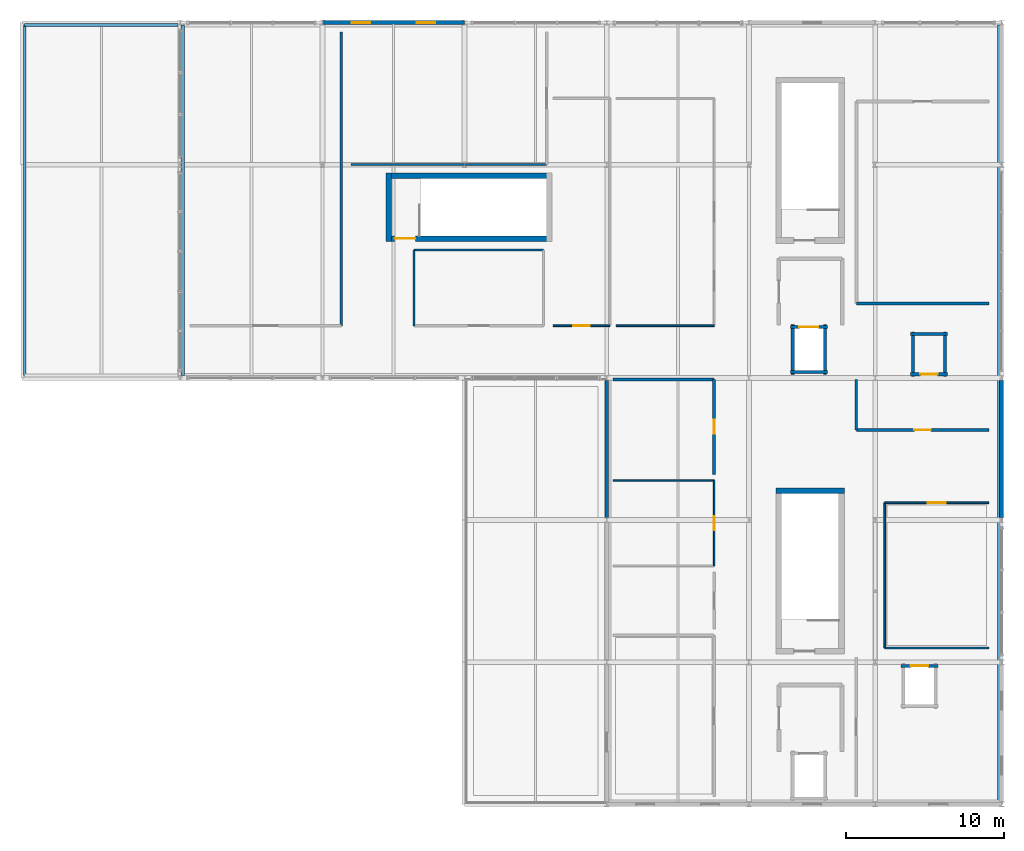
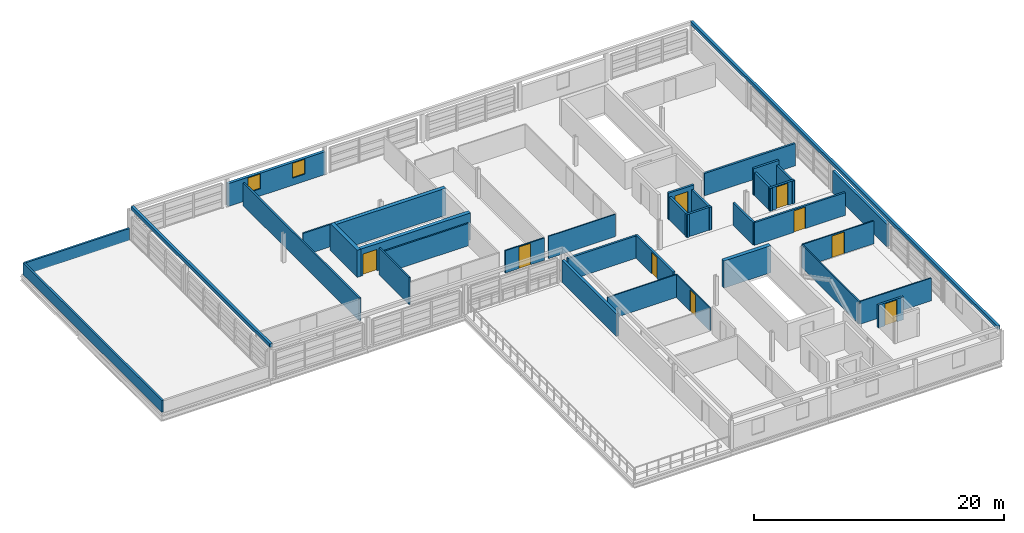
# One storey, part 25 of 27: 36 walls, 9 doors, 2 windows, 11 openings.
"""IFC4 building model written with IfcOpenShell, lengths in metres."""

from ifc_helpers import new_model, si_unit, direction, frame, frame_2d, origin, place, context, subcontext, project, spatial, rectangle, extrude, material, layer, layer_set, type_object, element, fill, save


model = new_model("IFC4")

# Units and contexts
model_context = context("Model", 3, precision=1e-05, world=origin(), true_north=direction((0.0, 1.0)))
body_context = subcontext(model_context, "Body", "Model", "MODEL_VIEW")
ifc_project = project(units=[si_unit("LENGTHUNIT", "METRE"), si_unit("AREAUNIT", "SQUARE_METRE"), si_unit("VOLUMEUNIT", "CUBIC_METRE"), si_unit("PLANEANGLEUNIT", "RADIAN"), si_unit("MASSUNIT", "GRAM", prefix="KILO")], contexts=[model_context])

# Site, building, storey
site_placement = place(None, origin())
site = spatial("IfcSite", under=ifc_project, at=site_placement, CompositionType="ELEMENT")
building_placement = place(site_placement, origin())
building = spatial("IfcBuilding", under=site, at=building_placement, Name="Chuanluo Vaults Station", CompositionType="ELEMENT")
storey_placement = place(building_placement, frame((0.0, 0.0, 20.800048828125)))
storey = spatial("IfcBuildingStorey", under=building, at=storey_placement, Name="L05", CompositionType="ELEMENT", Elevation=20.800048828125)

# Wall
ifc_material_1 = material(Name="Concrete C50", Category="concrete")
ifc_layer_1 = layer(ifc_material_1, 0.35009765625)
ifc_layer_set_1 = layer_set([ifc_layer_1], Name="Concrete C50")
wall_type_1 = type_object("IfcWallType", Name="WL-COR-350", PredefinedType="SHEAR", material=ifc_layer_set_1)
wall_1_placement = place(storey_placement, frame((178.03759765625, 96.347412109375, 0.0), z_axis=(0.0, 0.0, 1.0), x_axis=(-1.0, 0.0, 0.0)))
element("IfcWall", 1, at=wall_1_placement, inside=storey, type_object=wall_type_1, Name="Core K1 far shear wall", PredefinedType="SHEAR", context=body_context, shape_type="SweptSolid", body=[
    extrude(rectangle(XDim=4.320068359375, YDim=0.35009765625, at=frame_2d((2.16015625, 0.0))), origin(), (0.0, 0.0, 1.0), 2.64501953125),
])

# Wall, opening, door
wall_2_placement = place(storey_placement, frame((149.02490234375, 112.324951171875, 0.0), z_axis=(0.0, 0.0, 1.0), x_axis=(1.0, 0.0, 0.0)))
wall_2 = element("IfcWall", 2, at=wall_2_placement, inside=storey, type_object=wall_type_1, Name="Core K3 left shear wall", PredefinedType="SHEAR", context=body_context, shape_type="SweptSolid", body=[
    extrude(rectangle(XDim=10.49755859375, YDim=0.35009765625, at=frame_2d((5.248779296875, 0.0))), origin(), (0.0, 0.0, 1.0), 2.64501953125),
])
opening_1_placement = place(wall_2_placement, frame((0.550048828125, 0.0, 0.0)))
opening_1 = element("IfcOpeningElement", 3, at=opening_1_placement, cuts=wall_2, Name="Opening FD-05", PredefinedType="OPENING", context=body_context, shape_type="SweptSolid", body=[
    extrude(rectangle(XDim=1.300048828125, YDim=2.10009765625, at=frame_2d((0.64990234375, 1.050048828125))), frame((0.0, 0.18505, 0.0), z_axis=(0.0, -1.0, 0.0), x_axis=(1.0, 0.0, 0.0)), (0.0, 0.0, 1.0), 0.3701),
])
ifc_material_2 = material(Name="Fire-rated steel leaf", Category="steel")
door_type_1 = type_object("IfcDoorType", Name="DR-FIR-1300x2100", OperationType="NOTDEFINED", PredefinedType="DOOR", material=ifc_material_2)
door_1_placement = place(opening_1_placement, origin())
door_1 = element("IfcDoor", 4, at=door_1_placement, inside=storey, type_object=door_type_1, Name="D-078 Stair ST-03 fire door", OperationType="SINGLE_SWING_LEFT", OverallHeight=2.10009765625, OverallWidth=1.300048828125, PredefinedType="DOOR", context=body_context, shape_type="SweptSolid", body=[
    extrude(rectangle(XDim=1.300048828125, YDim=2.10009765625, at=frame_2d((0.64990234375, 1.050048828125))), frame((0.0, 0.02490234375, 0.0), z_axis=(0.0, -1.0, 0.0), x_axis=(1.0, 0.0, 0.0)), (0.0, 0.0, 1.0), 0.050048828125),
])
fill(opening_1, door_1)

# Walls
wall_3_placement = place(storey_placement, frame((159.5224609375, 116.294921875, 0.0), z_axis=(0.0, 0.0, 1.0), x_axis=(-1.0, 0.0, 0.0)))
element("IfcWall", 5, at=wall_3_placement, inside=storey, type_object=wall_type_1, Name="Core K3 right shear wall", PredefinedType="SHEAR", context=body_context, shape_type="SweptSolid", body=[
    extrude(rectangle(XDim=10.49755859375, YDim=0.35009765625, at=frame_2d((5.248779296875, 0.0))), origin(), (0.0, 0.0, 1.0), 2.64501953125),
])
wall_4_placement = place(storey_placement, frame((149.199951171875, 116.469970703125, 0.0), z_axis=(0.0, 0.0, 1.0), x_axis=(0.0, -1.0, 0.0)))
element("IfcWall", 6, at=wall_4_placement, inside=storey, type_object=wall_type_1, Name="Core K3 near shear wall", PredefinedType="SHEAR", context=body_context, shape_type="SweptSolid", body=[
    extrude(rectangle(XDim=4.320068359375, YDim=0.35009765625, at=frame_2d((2.16015625, 0.0))), origin(), (0.0, 0.0, 1.0), 2.64501953125),
])
ifc_material_3 = material(Name="Concrete C40", Category="concrete")
ifc_layer_2 = layer(ifc_material_3, 0.2451171875)
ifc_layer_set_2 = layer_set([ifc_layer_2], Name="Concrete C40")
wall_type_2 = type_object("IfcWallType", Name="WL-EXT-245", PredefinedType="SOLIDWALL", material=ifc_layer_set_2)
for number, where, z_axis, x_axis, name in (
    (7, (188.0, 103.35009765625, 0.0), (0.0, 0.0, 1.0), (0.0, -1.0, 0.0), "L05 exterior punched wall 35"),
    (8, (163.0, 94.64990234375, 0.0), (0.0, 0.0, 1.0), (0.0, 1.0, 0.0), "L05 executive roof garden wall 3"),
):
    element("IfcWall", number, at=place(storey_placement, frame(where, z_axis=z_axis, x_axis=x_axis)), inside=storey, type_object=wall_type_2, Name=name, PredefinedType="SOLIDWALL", context=body_context, shape_type="SweptSolid", body=[
        extrude(rectangle(XDim=8.7001953125, YDim=0.2451171875, at=frame_2d((4.35009765625, 0.0))), origin(), (0.0, 0.0, 1.0), 2.179931640625),
    ])

# Wall, openings, windows
ifc_material_4 = material(Name="Concrete C40", Category="concrete")
ifc_layer_3 = layer(ifc_material_4, 0.260009765625)
ifc_layer_set_3 = layer_set([ifc_layer_3], Name="Concrete C40")
wall_type_3 = type_object("IfcWallType", Name="WL-EXT-260", PredefinedType="SOLIDWALL", material=ifc_layer_set_3)
wall_5_placement = place(storey_placement, frame((145.0048828125, 126.0, 0.0), z_axis=(0.0, 0.0, 1.0), x_axis=(1.0, 0.0, 0.0)))
wall_5 = element("IfcWall", 9, at=wall_5_placement, inside=storey, type_object=wall_type_3, Name="L05 exterior punched wall 29", PredefinedType="SOLIDWALL", context=body_context, shape_type="SweptSolid", body=[
    extrude(rectangle(XDim=8.990234375, YDim=0.260009765625, at=frame_2d((4.4951171875, 0.0))), origin(), (0.0, 0.0, 1.0), 2.22998046875),
])
opening_2_placement = place(wall_5_placement, frame((1.860107421875, 0.0, 0.699951171875)))
opening_2 = element("IfcOpeningElement", 10, at=opening_2_placement, cuts=wall_5, Name="Opening W-49", PredefinedType="OPENING", context=body_context, shape_type="SweptSolid", body=[
    extrude(rectangle(XDim=1.14990234375, YDim=1.449951171875, at=frame_2d((0.574951171875, 0.72509765625))), frame((0.0, 0.13988, 0.0), z_axis=(0.0, -1.0, 0.0), x_axis=(1.0, 0.0, 0.0)), (0.0, 0.0, 1.0), 0.28001),
])
opening_3_placement = place(wall_5_placement, frame((5.97998046875, 0.0, 0.699951171875)))
opening_3 = element("IfcOpeningElement", 11, at=opening_3_placement, cuts=wall_5, Name="Opening W-49", PredefinedType="OPENING", context=body_context, shape_type="SweptSolid", body=[
    extrude(rectangle(XDim=1.14990234375, YDim=1.449951171875, at=frame_2d((0.574951171875, 0.72509765625))), frame((0.0, 0.13988, 0.0), z_axis=(0.0, -1.0, 0.0), x_axis=(1.0, 0.0, 0.0)), (0.0, 0.0, 1.0), 0.28001),
])
ifc_material_5 = material(Name="Double-silver Low-E laminated glass", Category="glass")
window_type = type_object("IfcWindowType", Name="WN-OPS-1150x1450", PartitioningType="SINGLE_PANEL", PredefinedType="WINDOW", material=ifc_material_5)
window_1_placement = place(opening_2_placement, origin())
window_1 = element("IfcWindow", 12, at=window_1_placement, inside=storey, type_object=window_type, Name="W-105 L05 facade window", OverallHeight=1.449951171875, OverallWidth=1.14990234375, PartitioningType="SINGLE_PANEL", PredefinedType="WINDOW", context=body_context, shape_type="SweptSolid", body=[
    extrude(rectangle(XDim=1.14990234375, YDim=1.449951171875, at=frame_2d((0.574951171875, 0.72509765625))), frame((0.0, 0.030029296875, 0.0), z_axis=(0.0, -1.0, 0.0), x_axis=(1.0, 0.0, 0.0)), (0.0, 0.0, 1.0), 0.06005859375),
])
fill(opening_2, window_1)
window_2_placement = place(opening_3_placement, origin())
window_2 = element("IfcWindow", 13, at=window_2_placement, inside=storey, type_object=window_type, Name="W-106 L05 facade window", OverallHeight=1.449951171875, OverallWidth=1.14990234375, PartitioningType="SINGLE_PANEL", PredefinedType="WINDOW", context=body_context, shape_type="SweptSolid", body=[
    extrude(rectangle(XDim=1.14990234375, YDim=1.449951171875, at=frame_2d((0.574951171875, 0.72509765625))), frame((0.0, 0.030029296875, 0.0), z_axis=(0.0, -1.0, 0.0), x_axis=(1.0, 0.0, 0.0)), (0.0, 0.0, 1.0), 0.06005859375),
])
fill(opening_3, window_2)

# Walls
ifc_material_6 = material(Name="Concrete C40", Category="concrete")
ifc_layer_4 = layer(ifc_material_6, 0.179931640625)
ifc_layer_set_4 = layer_set([ifc_layer_4], Name="Concrete C40")
wall_type_4 = type_object("IfcWallType", Name="WL-PAR-180", PredefinedType="PARAPET", material=ifc_layer_set_4)
wall_6_placement = place(storey_placement, frame((126.14990234375, 103.64990234375, 0.0), z_axis=(0.0, 0.0, 1.0), x_axis=(0.0, 1.0, 0.0)))
element("IfcWall", 14, at=wall_6_placement, inside=storey, type_object=wall_type_4, Name="L05 roof parapet wall 17", PredefinedType="PARAPET", context=body_context, shape_type="SweptSolid", body=[
    extrude(rectangle(XDim=22.2001953125, YDim=0.179931640625, at=frame_2d((11.10009765625, 0.0))), origin(), (0.0, 0.0, 1.0), 1.14990234375),
])
wall_7_placement = place(storey_placement, frame((126.14990234375, 125.85009765625, 0.0), z_axis=(0.0, 0.0, 1.0), x_axis=(1.0, 0.0, 0.0)))
element("IfcWall", 15, at=wall_7_placement, inside=storey, type_object=wall_type_4, Name="L05 roof parapet wall 18", PredefinedType="PARAPET", context=body_context, shape_type="SweptSolid", body=[
    extrude(rectangle(XDim=9.7001953125, YDim=0.179931640625, at=frame_2d((4.85009765625, 0.0))), origin(), (0.0, 0.0, 1.0), 1.14990234375),
])
ifc_material_7 = material(Name="Concrete C40", Category="concrete")
ifc_layer_5 = layer(ifc_material_7, 0.239990234375)
ifc_layer_set_5 = layer_set([ifc_layer_5], Name="Concrete C40")
wall_type_5 = type_object("IfcWallType", Name="WL-PAR-240", PredefinedType="PARAPET", material=ifc_layer_set_5)
wall_8_placement = place(storey_placement, frame((187.85009765625, 76.64990234375, 2.849853515625), z_axis=(0.0, 0.0, 1.0), x_axis=(0.0, 1.0, 0.0)))
element("IfcWall", 16, at=wall_8_placement, inside=storey, type_object=wall_type_5, Name="L05 roof parapet wall 20", PredefinedType="PARAPET", context=body_context, shape_type="SweptSolid", body=[
    extrude(rectangle(XDim=49.2001953125, YDim=0.239990234375, at=frame_2d((24.60009765625, 0.0))), origin(), (0.0, 0.0, 1.0), 0.340087890625),
])
wall_9_placement = place(storey_placement, frame((136.14990234375, 125.85009765625, 2.849853515625), z_axis=(0.0, 0.0, 1.0), x_axis=(0.0, -1.0, 0.0)))
element("IfcWall", 17, at=wall_9_placement, inside=storey, type_object=wall_type_5, Name="L05 roof parapet wall 22", PredefinedType="PARAPET", context=body_context, shape_type="SweptSolid", body=[
    extrude(rectangle(XDim=22.2001953125, YDim=0.239990234375, at=frame_2d((11.10009765625, 0.0))), origin(), (0.0, 0.0, 1.0), 0.340087890625),
])
ifc_material_8 = material(Name="Masonry blockwork M10", Category="masonry")
ifc_layer_6 = layer(ifc_material_8, 0.10009765625)
ifc_layer_set_6 = layer_set([ifc_layer_6], Name="Masonry blockwork M10")
wall_type_6 = type_object("IfcWallType", Name="WL-PRT-100", PredefinedType="PARTITIONING", material=ifc_layer_set_6)
wall_10_placement = place(storey_placement, frame((169.800048828125, 106.800048828125, 0.0), z_axis=(0.0, 0.0, 1.0), x_axis=(-1.0, 0.0, 0.0)))
element("IfcWall", 18, at=wall_10_placement, inside=storey, type_object=wall_type_6, Name="L05-03 Executive Boardroom S partition", PredefinedType="PARTITIONING", context=body_context, shape_type="SweptSolid", body=[
    extrude(rectangle(XDim=6.199951171875, YDim=0.10009765625, at=frame_2d((3.10009765625, 0.0))), origin(), (0.0, 0.0, 1.0), 2.179931640625),
])
wall_11_placement = place(storey_placement, frame((163.39990234375, 97.0, 0.0), z_axis=(0.0, 0.0, 1.0), x_axis=(1.0, 0.0, 0.0)))
element("IfcWall", 19, at=wall_11_placement, inside=storey, type_object=wall_type_6, Name="L05-09 Level 5 Male Toilet N partition", PredefinedType="PARTITIONING", context=body_context, shape_type="SweptSolid", body=[
    extrude(rectangle(XDim=6.400146484375, YDim=0.10009765625, at=frame_2d((3.2001953125, 0.0))), origin(), (0.0, 0.0, 1.0), 2.22998046875),
])

# Wall, opening, door
wall_12_placement = place(storey_placement, frame((169.800048828125, 97.0, 0.0), z_axis=(0.0, 0.0, 1.0), x_axis=(0.0, -1.0, 0.0)))
wall_12 = element("IfcWall", 20, at=wall_12_placement, inside=storey, type_object=wall_type_6, Name="L05-09 Level 5 Male Toilet E partition", PredefinedType="PARTITIONING", context=body_context, shape_type="SweptSolid", body=[
    extrude(rectangle(XDim=5.39990234375, YDim=0.10009765625, at=frame_2d((2.699951171875, 0.0))), origin(), (0.0, 0.0, 1.0), 2.22998046875),
])
opening_4_placement = place(wall_12_placement, frame((2.25, 0.0, 0.0)))
opening_4 = element("IfcOpeningElement", 21, at=opening_4_placement, cuts=wall_12, Name="Opening D-WC1", PredefinedType="OPENING", context=body_context, shape_type="SweptSolid", body=[
    extrude(rectangle(XDim=0.89990234375, YDim=2.10009765625, at=frame_2d((0.449951171875, 1.050048828125))), frame((0.0, 0.06005, 0.0), z_axis=(0.0, -1.0, 0.0), x_axis=(1.0, 0.0, 0.0)), (0.0, 0.0, 1.0), 0.1201),
])
ifc_material_9 = material(Name="Anodised aluminium 6063-T6", Category="aluminium")
door_type_2 = type_object("IfcDoorType", Name="DR-WC-0900x2100", OperationType="NOTDEFINED", PredefinedType="DOOR", material=ifc_material_9)
door_2_placement = place(opening_4_placement, origin())
door_2 = element("IfcDoor", 22, at=door_2_placement, inside=storey, type_object=door_type_2, Name="D-263 Level 5 Male Toilet door", OperationType="SINGLE_SWING_RIGHT", OverallHeight=2.10009765625, OverallWidth=0.89990234375, PredefinedType="DOOR", context=body_context, shape_type="SweptSolid", body=[
    extrude(rectangle(XDim=0.89990234375, YDim=2.10009765625, at=frame_2d((0.449951171875, 1.050048828125))), frame((0.0, 0.02490234375, 0.0), z_axis=(0.0, -1.0, 0.0), x_axis=(1.0, 0.0, 0.0)), (0.0, 0.0, 1.0), 0.050048828125),
])
fill(opening_4, door_2)

# Wall
ifc_material_10 = material(Name="Masonry blockwork M10", Category="masonry")
ifc_layer_7 = layer(ifc_material_10, 0.110107421875)
ifc_layer_set_7 = layer_set([ifc_layer_7], Name="Masonry blockwork M10")
wall_type_7 = type_object("IfcWallType", Name="WL-PRT-110", PredefinedType="PARTITIONING", material=ifc_layer_set_7)
wall_13_placement = place(storey_placement, frame((187.199951171875, 86.39990234375, 0.0), z_axis=(0.0, 0.0, 1.0), x_axis=(-1.0, 0.0, 0.0)))
element("IfcWall", 23, at=wall_13_placement, inside=storey, type_object=wall_type_7, Name="L05-08 Digital Twin Simulation Lab S partition", PredefinedType="PARTITIONING", context=body_context, shape_type="SweptSolid", body=[
    extrude(rectangle(XDim=6.599853515625, YDim=0.110107421875, at=frame_2d((3.2998046875, 0.0))), origin(), (0.0, 0.0, 1.0), 2.22998046875),
])

# Wall, opening, door
wall_14_placement = place(storey_placement, frame((180.60009765625, 95.60009765625, 0.0), z_axis=(0.0, 0.0, 1.0), x_axis=(1.0, 0.0, 0.0)))
wall_14 = element("IfcWall", 24, at=wall_14_placement, inside=storey, type_object=wall_type_7, Name="L05-08 Digital Twin Simulation Lab N partition", PredefinedType="PARTITIONING", context=body_context, shape_type="SweptSolid", body=[
    extrude(rectangle(XDim=6.599853515625, YDim=0.110107421875, at=frame_2d((3.2998046875, 0.0))), origin(), (0.0, 0.0, 1.0), 2.22998046875),
])
opening_5_placement = place(wall_14_placement, frame((2.72509765625, 0.0, 0.0)))
opening_5 = element("IfcOpeningElement", 25, at=opening_5_placement, cuts=wall_14, Name="Opening D-I06", PredefinedType="OPENING", context=body_context, shape_type="SweptSolid", body=[
    extrude(rectangle(XDim=1.14990234375, YDim=2.10009765625, at=frame_2d((0.574951171875, 1.050048828125))), frame((0.0, 0.06518, 0.0), z_axis=(0.0, -1.0, 0.0), x_axis=(1.0, 0.0, 0.0)), (0.0, 0.0, 1.0), 0.13011),
])
ifc_material_11 = material(Name="Anodised aluminium 6063-T6", Category="aluminium")
door_type_3 = type_object("IfcDoorType", Name="DR-INT-1150x2100", OperationType="NOTDEFINED", PredefinedType="DOOR", material=ifc_material_11)
door_3_placement = place(opening_5_placement, origin())
door_3 = element("IfcDoor", 26, at=door_3_placement, inside=storey, type_object=door_type_3, Name="D-262 Digital Twin Simulation Lab door", OperationType="SINGLE_SWING_LEFT", OverallHeight=2.10009765625, OverallWidth=1.14990234375, PredefinedType="DOOR", context=body_context, shape_type="SweptSolid", body=[
    extrude(rectangle(XDim=1.14990234375, YDim=2.10009765625, at=frame_2d((0.574951171875, 1.050048828125))), frame((0.0, 0.02490234375, 0.0), z_axis=(0.0, -1.0, 0.0), x_axis=(1.0, 0.0, 0.0)), (0.0, 0.0, 1.0), 0.050048828125),
])
fill(opening_5, door_3)

# Wall
wall_15_placement = place(storey_placement, frame((180.60009765625, 86.39990234375, 0.0), z_axis=(0.0, 0.0, 1.0), x_axis=(0.0, 1.0, 0.0)))
element("IfcWall", 27, at=wall_15_placement, inside=storey, type_object=wall_type_7, Name="L05-08 Digital Twin Simulation Lab W partition", PredefinedType="PARTITIONING", context=body_context, shape_type="SweptSolid", body=[
    extrude(rectangle(XDim=9.2001953125, YDim=0.110107421875, at=frame_2d((4.60009765625, 0.0))), origin(), (0.0, 0.0, 1.0), 2.22998046875),
])

# Wall, opening, door
ifc_material_12 = material(Name="Masonry blockwork M10", Category="masonry")
ifc_layer_8 = layer(ifc_material_12, 0.1201171875)
ifc_layer_set_8 = layer_set([ifc_layer_8], Name="Masonry blockwork M10")
wall_type_8 = type_object("IfcWallType", Name="WL-PRT-120", PredefinedType="PARTITIONING", material=ifc_layer_set_8)
wall_16_placement = place(storey_placement, frame((163.199951171875, 106.800048828125, 0.0), z_axis=(0.0, 0.0, 1.0), x_axis=(-1.0, 0.0, 0.0)))
wall_16 = element("IfcWall", 28, at=wall_16_placement, inside=storey, type_object=wall_type_8, Name="L05-02B Executive Operations Planning Office S partition", PredefinedType="PARTITIONING", context=body_context, shape_type="SweptSolid", body=[
    extrude(rectangle(XDim=3.599853515625, YDim=0.1201171875, at=frame_2d((1.7998046875, 0.0))), origin(), (0.0, 0.0, 1.0), 2.179931640625),
])
opening_6_placement = place(wall_16_placement, frame((1.27490234375, 0.0, 0.0)))
opening_6 = element("IfcOpeningElement", 29, at=opening_6_placement, cuts=wall_16, Name="Opening D-I07", PredefinedType="OPENING", context=body_context, shape_type="SweptSolid", body=[
    extrude(rectangle(XDim=1.050048828125, YDim=2.10009765625, at=frame_2d((0.52490234375, 1.050048828125))), frame((0.0, 0.07006, 0.0), z_axis=(0.0, -1.0, 0.0), x_axis=(1.0, 0.0, 0.0)), (0.0, 0.0, 1.0), 0.14012),
])
ifc_material_13 = material(Name="Anodised aluminium 6063-T6", Category="aluminium")
door_type_4 = type_object("IfcDoorType", Name="DR-INT-1050x2100", OperationType="NOTDEFINED", PredefinedType="DOOR", material=ifc_material_13)
door_4_placement = place(opening_6_placement, origin())
door_4 = element("IfcDoor", 30, at=door_4_placement, inside=storey, type_object=door_type_4, Name="D-256 Executive Operations Planning Office door", OperationType="SINGLE_SWING_LEFT", OverallHeight=2.10009765625, OverallWidth=1.050048828125, PredefinedType="DOOR", context=body_context, shape_type="SweptSolid", body=[
    extrude(rectangle(XDim=1.050048828125, YDim=2.10009765625, at=frame_2d((0.52490234375, 1.050048828125))), frame((0.0, 0.02490234375, 0.0), z_axis=(0.0, -1.0, 0.0), x_axis=(1.0, 0.0, 0.0)), (0.0, 0.0, 1.0), 0.050048828125),
])
fill(opening_6, door_4)

# Walls
ifc_material_14 = material(Name="Masonry blockwork M10", Category="masonry")
ifc_layer_9 = layer(ifc_material_14, 0.1298828125)
ifc_layer_set_9 = layer_set([ifc_layer_9], Name="Masonry blockwork M10")
wall_type_9 = type_object("IfcWallType", Name="WL-PRT-130", PredefinedType="PARTITIONING", material=ifc_layer_set_9)
wall_17_placement = place(storey_placement, frame((159.199951171875, 117.0, 0.0), z_axis=(0.0, 0.0, 1.0), x_axis=(-1.0, 0.0, 0.0)))
element("IfcWall", 31, at=wall_17_placement, inside=storey, type_object=wall_type_9, Name="L05-02 Station Director and Executive Suite S partition", PredefinedType="PARTITIONING", context=body_context, shape_type="SweptSolid", body=[
    extrude(rectangle(XDim=12.39990234375, YDim=0.1298828125, at=frame_2d((6.199951171875, 0.0))), origin(), (0.0, 0.0, 1.0), 2.179931640625),
])
ifc_material_15 = material(Name="Autoclaved aerated concrete blockwork MU10", Category="masonry")
ifc_layer_10 = layer(ifc_material_15, 0.139892578125)
ifc_layer_set_10 = layer_set([ifc_layer_10], Name="Autoclaved aerated concrete blockwork MU10")
wall_type_10 = type_object("IfcWallType", Name="WL-PRT-140", PredefinedType="PARTITIONING", material=ifc_layer_set_10)
wall_18_placement = place(storey_placement, frame((150.800048828125, 111.60009765625, 0.0), z_axis=(0.0, 0.0, 1.0), x_axis=(1.0, 0.0, 0.0)))
element("IfcWall", 32, at=wall_18_placement, inside=storey, type_object=wall_type_10, Name="L05-01C Training Seminar Classroom N partition", PredefinedType="PARTITIONING", context=body_context, shape_type="SweptSolid", body=[
    extrude(rectangle(XDim=8.199951171875, YDim=0.139892578125, at=frame_2d((4.10009765625, 0.0))), origin(), (0.0, 0.0, 1.0), 2.179931640625),
])
wall_19_placement = place(storey_placement, frame((150.800048828125, 106.800048828125, 0.0), z_axis=(0.0, 0.0, 1.0), x_axis=(0.0, 1.0, 0.0)))
element("IfcWall", 33, at=wall_19_placement, inside=storey, type_object=wall_type_10, Name="L05-01C Training Seminar Classroom W partition", PredefinedType="PARTITIONING", context=body_context, shape_type="SweptSolid", body=[
    extrude(rectangle(XDim=4.800048828125, YDim=0.139892578125, at=frame_2d((2.39990234375, 0.0))), origin(), (0.0, 0.0, 1.0), 2.619873046875),
])
ifc_material_16 = material(Name="Autoclaved aerated concrete blockwork MU10", Category="masonry")
ifc_layer_11 = layer(ifc_material_16, 0.159912109375)
ifc_layer_set_11 = layer_set([ifc_layer_11], Name="Autoclaved aerated concrete blockwork MU10")
wall_type_11 = type_object("IfcWallType", Name="WL-PRT-160", PredefinedType="PARTITIONING", material=ifc_layer_set_11)
wall_20_placement = place(storey_placement, frame((146.199951171875, 125.39990234375, 0.0), z_axis=(0.0, 0.0, 1.0), x_axis=(0.0, -1.0, 0.0)))
element("IfcWall", 34, at=wall_20_placement, inside=storey, type_object=wall_type_11, Name="L05-01 Railway Regional Training Lecture Hall E partition", PredefinedType="PARTITIONING", context=body_context, shape_type="SweptSolid", body=[
    extrude(rectangle(XDim=18.599853515625, YDim=0.159912109375, at=frame_2d((9.2998046875, 0.0))), origin(), (0.0, 0.0, 1.0), 2.22998046875),
])

# Wall, opening, door
ifc_material_17 = material(Name="Autoclaved aerated concrete blockwork MU10", Category="masonry")
ifc_layer_12 = layer(ifc_material_17, 0.175048828125)
ifc_layer_set_12 = layer_set([ifc_layer_12], Name="Autoclaved aerated concrete blockwork MU10")
wall_type_12 = type_object("IfcWallType", Name="WL-PRT-175", PredefinedType="PARTITIONING", material=ifc_layer_set_12)
wall_21_placement = place(storey_placement, frame((187.199951171875, 100.199951171875, 0.0), z_axis=(0.0, 0.0, 1.0), x_axis=(-1.0, 0.0, 0.0)))
wall_21 = element("IfcWall", 35, at=wall_21_placement, inside=storey, type_object=wall_type_12, Name="L05-03C Executive Briefing Salon S partition", PredefinedType="PARTITIONING", context=body_context, shape_type="SweptSolid", body=[
    extrude(rectangle(XDim=8.39990234375, YDim=0.175048828125, at=frame_2d((4.199951171875, 0.0))), origin(), (0.0, 0.0, 1.0), 2.22998046875),
])
opening_7_placement = place(wall_21_placement, frame((3.675048828125, 0.0, 0.0)))
opening_7 = element("IfcOpeningElement", 36, at=opening_7_placement, cuts=wall_21, Name="Opening D-I07", PredefinedType="OPENING", context=body_context, shape_type="SweptSolid", body=[
    extrude(rectangle(XDim=1.050048828125, YDim=2.10009765625, at=frame_2d((0.52490234375, 1.050048828125))), frame((0.0, 0.0974, 0.0), z_axis=(0.0, -1.0, 0.0), x_axis=(1.0, 0.0, 0.0)), (0.0, 0.0, 1.0), 0.19505),
])
door_5_placement = place(opening_7_placement, origin())
door_5 = element("IfcDoor", 37, at=door_5_placement, inside=storey, type_object=door_type_4, Name="D-260 Executive Briefing Salon door", OperationType="SINGLE_SWING_LEFT", OverallHeight=2.10009765625, OverallWidth=1.050048828125, PredefinedType="DOOR", context=body_context, shape_type="SweptSolid", body=[
    extrude(rectangle(XDim=1.050048828125, YDim=2.10009765625, at=frame_2d((0.52490234375, 1.050048828125))), frame((0.0, 0.02490234375, 0.0), z_axis=(0.0, -1.0, 0.0), x_axis=(1.0, 0.0, 0.0)), (0.0, 0.0, 1.0), 0.050048828125),
])
fill(opening_7, door_5)

# Walls
wall_22_placement = place(storey_placement, frame((178.800048828125, 100.199951171875, 0.0), z_axis=(0.0, 0.0, 1.0), x_axis=(0.0, 1.0, 0.0)))
element("IfcWall", 38, at=wall_22_placement, inside=storey, type_object=wall_type_12, Name="L05-03C Executive Briefing Salon W partition", PredefinedType="PARTITIONING", context=body_context, shape_type="SweptSolid", body=[
    extrude(rectangle(XDim=3.199951171875, YDim=0.175048828125, at=frame_2d((1.60009765625, 0.0))), origin(), (0.0, 0.0, 1.0), 2.22998046875),
])
ifc_material_18 = material(Name="Autoclaved aerated concrete blockwork MU10", Category="masonry")
ifc_layer_13 = layer(ifc_material_18, 0.18994140625)
ifc_layer_set_13 = layer_set([ifc_layer_13], Name="Autoclaved aerated concrete blockwork MU10")
wall_type_13 = type_object("IfcWallType", Name="WL-PRT-190", PredefinedType="PARTITIONING", material=ifc_layer_set_13)
wall_23_placement = place(storey_placement, frame((187.199951171875, 108.199951171875, 0.0), z_axis=(0.0, 0.0, 1.0), x_axis=(-1.0, 0.0, 0.0)))
element("IfcWall", 39, at=wall_23_placement, inside=storey, type_object=wall_type_13, Name="L05-03B East Archives and Technical Library S partition", PredefinedType="PARTITIONING", context=body_context, shape_type="SweptSolid", body=[
    extrude(rectangle(XDim=8.39990234375, YDim=0.18994140625, at=frame_2d((4.199951171875, 0.0))), origin(), (0.0, 0.0, 1.0), 2.179931640625),
])
wall_24_placement = place(storey_placement, frame((163.39990234375, 103.39990234375, 0.0), z_axis=(0.0, 0.0, 1.0), x_axis=(1.0, 0.0, 0.0)))
element("IfcWall", 40, at=wall_24_placement, inside=storey, type_object=wall_type_13, Name="L05-10 Level 5 Female Toilet N partition", PredefinedType="PARTITIONING", context=body_context, shape_type="SweptSolid", body=[
    extrude(rectangle(XDim=6.400146484375, YDim=0.18994140625, at=frame_2d((3.2001953125, 0.0))), origin(), (0.0, 0.0, 1.0), 2.179931640625),
])

# Wall, opening, door
wall_25_placement = place(storey_placement, frame((169.800048828125, 103.39990234375, 0.0), z_axis=(0.0, 0.0, 1.0), x_axis=(0.0, -1.0, 0.0)))
wall_25 = element("IfcWall", 41, at=wall_25_placement, inside=storey, type_object=wall_type_13, Name="L05-10 Level 5 Female Toilet E partition", PredefinedType="PARTITIONING", context=body_context, shape_type="SweptSolid", body=[
    extrude(rectangle(XDim=6.0, YDim=0.18994140625, at=frame_2d((3.0, 0.0))), origin(), (0.0, 0.0, 1.0), 2.22998046875),
])
opening_8_placement = place(wall_25_placement, frame((2.550048828125, 0.0, 0.0)))
opening_8 = element("IfcOpeningElement", 42, at=opening_8_placement, cuts=wall_25, Name="Opening D-WC1", PredefinedType="OPENING", context=body_context, shape_type="SweptSolid", body=[
    extrude(rectangle(XDim=0.89990234375, YDim=2.10009765625, at=frame_2d((0.449951171875, 1.050048828125))), frame((0.0, 0.10497, 0.0), z_axis=(0.0, -1.0, 0.0), x_axis=(1.0, 0.0, 0.0)), (0.0, 0.0, 1.0), 0.20994),
])
door_6_placement = place(opening_8_placement, origin())
door_6 = element("IfcDoor", 43, at=door_6_placement, inside=storey, type_object=door_type_2, Name="D-264 Level 5 Female Toilet door", OperationType="SINGLE_SWING_LEFT", OverallHeight=2.10009765625, OverallWidth=0.89990234375, PredefinedType="DOOR", context=body_context, shape_type="SweptSolid", body=[
    extrude(rectangle(XDim=0.89990234375, YDim=2.10009765625, at=frame_2d((0.449951171875, 1.050048828125))), frame((0.0, 0.02490234375, 0.0), z_axis=(0.0, -1.0, 0.0), x_axis=(1.0, 0.0, 0.0)), (0.0, 0.0, 1.0), 0.050048828125),
])
fill(opening_8, door_6)

# Wall
ifc_material_19 = material(Name="Concrete C40", Category="concrete")
ifc_layer_14 = layer(ifc_material_19, 0.199951171875)
ifc_layer_set_14 = layer_set([ifc_layer_14], Name="Concrete C40")
wall_type_14 = type_object("IfcWallType", Name="WL-SHF-200", PredefinedType="SOLIDWALL", material=ifc_layer_set_14)
wall_26_placement = place(storey_placement, frame((174.6298828125, 103.8798828125, 0.0), z_axis=(0.0, 0.0, 1.0), x_axis=(1.0, 0.0, 0.0)))
element("IfcWall", 44, at=wall_26_placement, inside=storey, type_object=wall_type_14, Name="Lift FFL-02 shaft wall L05 -Y", PredefinedType="SOLIDWALL", context=body_context, shape_type="SweptSolid", body=[
    extrude(rectangle(XDim=2.340087890625, YDim=0.199951171875, at=frame_2d((1.169921875, 0.0))), origin(), (0.0, 0.0, 1.0), 2.22998046875),
])

# Wall, opening, door
wall_27_placement = place(storey_placement, frame((176.969970703125, 106.719970703125, 0.0), z_axis=(0.0, 0.0, 1.0), x_axis=(-1.0, 0.0, 0.0)))
wall_27 = element("IfcWall", 45, at=wall_27_placement, inside=storey, type_object=wall_type_14, Name="Lift FFL-02 shaft wall L05 +Y", PredefinedType="SOLIDWALL", context=body_context, shape_type="SweptSolid", body=[
    extrude(rectangle(XDim=2.340087890625, YDim=0.199951171875, at=frame_2d((1.169921875, 0.0))), origin(), (0.0, 0.0, 1.0), 2.619873046875),
])
opening_9_placement = place(wall_27_placement, frame((0.570068359375, 0.0, 0.0)))
opening_9 = element("IfcOpeningElement", 46, at=opening_9_placement, cuts=wall_27, Name="Opening LD-02", PredefinedType="OPENING", context=body_context, shape_type="SweptSolid", body=[
    extrude(rectangle(XDim=1.199951171875, YDim=2.14990234375, at=frame_2d((0.60009765625, 1.074951171875))), frame((0.0, 0.1101, 0.0), z_axis=(0.0, -1.0, 0.0), x_axis=(1.0, 0.0, 0.0)), (0.0, 0.0, 1.0), 0.21995),
])
ifc_material_20 = material(Name="Brushed stainless steel 304", Category="steel")
door_type_5 = type_object("IfcDoorType", Name="DR-LFT-1200x2150", OperationType="SLIDING_TO_LEFT", PredefinedType="DOOR", material=ifc_material_20)
door_7_placement = place(opening_9_placement, origin())
door_7 = element("IfcDoor", 47, at=door_7_placement, inside=storey, type_object=door_type_5, Name="LD-FFL-02-07 Lift FFL-02 sliding landing door L05", OperationType="SLIDING_TO_LEFT", OverallHeight=2.14990234375, OverallWidth=1.199951171875, PredefinedType="DOOR", context=body_context, shape_type="SweptSolid", body=[
    extrude(rectangle(XDim=1.199951171875, YDim=2.14990234375, at=frame_2d((0.60009765625, 1.074951171875))), frame((0.0, 0.02490234375, 0.0), z_axis=(0.0, -1.0, 0.0), x_axis=(1.0, 0.0, 0.0)), (0.0, 0.0, 1.0), 0.050048828125),
])
fill(opening_9, door_7)

# Walls
for number, where, z_axis, x_axis, name in (
    (48, (174.780029296875, 106.8701171875, 0.0), (0.0, 0.0, 1.0), (0.0, -1.0, 0.0), "Lift FFL-02 shaft wall L05 -X"),
    (49, (176.820068359375, 103.72998046875, 0.0), (0.0, 0.0, 1.0), (0.0, 1.0, 0.0), "Lift FFL-02 shaft wall L05 +X"),
):
    element("IfcWall", number, at=place(storey_placement, frame(where, z_axis=z_axis, x_axis=x_axis)), inside=storey, type_object=wall_type_14, Name=name, PredefinedType="SOLIDWALL", context=body_context, shape_type="SweptSolid", body=[
        extrude(rectangle(XDim=3.14013671875, YDim=0.199951171875, at=frame_2d((1.570068359375, 0.0))), origin(), (0.0, 0.0, 1.0), 2.22998046875),
    ])

# Wall, opening, door
wall_28_placement = place(storey_placement, frame((183.969970703125, 85.27001953125, 0.0), z_axis=(0.0, 0.0, 1.0), x_axis=(-1.0, 0.0, 0.0)))
wall_28 = element("IfcWall", 50, at=wall_28_placement, inside=storey, type_object=wall_type_14, Name="Lift EL-03 shaft wall L05 +Y", PredefinedType="SOLIDWALL", context=body_context, shape_type="SweptSolid", body=[
    extrude(rectangle(XDim=2.340087890625, YDim=0.199951171875, at=frame_2d((1.169921875, 0.0))), origin(), (0.0, 0.0, 1.0), 2.22998046875),
])
opening_10_placement = place(wall_28_placement, frame((0.6201171875, 0.0, 0.0)))
opening_10 = element("IfcOpeningElement", 51, at=opening_10_placement, cuts=wall_28, Name="Opening LD-01", PredefinedType="OPENING", context=body_context, shape_type="SweptSolid", body=[
    extrude(rectangle(XDim=1.10009765625, YDim=2.14990234375, at=frame_2d((0.550048828125, 1.074951171875))), frame((0.0, 0.1101, 0.0), z_axis=(0.0, -1.0, 0.0), x_axis=(1.0, 0.0, 0.0)), (0.0, 0.0, 1.0), 0.21995),
])
ifc_material_21 = material(Name="Brushed stainless steel 304", Category="steel")
door_type_6 = type_object("IfcDoorType", Name="DR-LFT-1100x2150", OperationType="SLIDING_TO_LEFT", PredefinedType="DOOR", material=ifc_material_21)
door_8_placement = place(opening_10_placement, origin())
door_8 = element("IfcDoor", 52, at=door_8_placement, inside=storey, type_object=door_type_6, Name="LD-EL-03-07 Lift EL-03 sliding landing door L05", OperationType="SLIDING_TO_LEFT", OverallHeight=2.14990234375, OverallWidth=1.10009765625, PredefinedType="DOOR", context=body_context, shape_type="SweptSolid", body=[
    extrude(rectangle(XDim=1.10009765625, YDim=2.14990234375, at=frame_2d((0.550048828125, 1.074951171875))), frame((0.0, 0.02490234375, 0.0), z_axis=(0.0, -1.0, 0.0), x_axis=(1.0, 0.0, 0.0)), (0.0, 0.0, 1.0), 0.050048828125),
])
fill(opening_10, door_8)

wall_29_placement = place(storey_placement, frame((182.22998046875, 103.72998046875, 0.0), z_axis=(0.0, 0.0, 1.0), x_axis=(1.0, 0.0, 0.0)))
wall_29 = element("IfcWall", 53, at=wall_29_placement, inside=storey, type_object=wall_type_14, Name="Lift EL-04 shaft wall L05 -Y", PredefinedType="SOLIDWALL", context=body_context, shape_type="SweptSolid", body=[
    extrude(rectangle(XDim=2.340087890625, YDim=0.199951171875, at=frame_2d((1.169921875, 0.0))), origin(), (0.0, 0.0, 1.0), 2.22998046875),
])
opening_11_placement = place(wall_29_placement, frame((0.6201171875, 0.0, 0.0)))
opening_11 = element("IfcOpeningElement", 54, at=opening_11_placement, cuts=wall_29, Name="Opening LD-01", PredefinedType="OPENING", context=body_context, shape_type="SweptSolid", body=[
    extrude(rectangle(XDim=1.10009765625, YDim=2.14990234375, at=frame_2d((0.550048828125, 1.074951171875))), frame((0.0, 0.1101, 0.0), z_axis=(0.0, -1.0, 0.0), x_axis=(1.0, 0.0, 0.0)), (0.0, 0.0, 1.0), 0.21995),
])
door_9_placement = place(opening_11_placement, origin())
door_9 = element("IfcDoor", 55, at=door_9_placement, inside=storey, type_object=door_type_6, Name="LD-EL-04-07 Lift EL-04 sliding landing door L05", OperationType="SLIDING_TO_LEFT", OverallHeight=2.14990234375, OverallWidth=1.10009765625, PredefinedType="DOOR", context=body_context, shape_type="SweptSolid", body=[
    extrude(rectangle(XDim=1.10009765625, YDim=2.14990234375, at=frame_2d((0.550048828125, 1.074951171875))), frame((0.0, 0.02490234375, 0.0), z_axis=(0.0, -1.0, 0.0), x_axis=(1.0, 0.0, 0.0)), (0.0, 0.0, 1.0), 0.050048828125),
])
fill(opening_11, door_9)

# Walls
wall_30_placement = place(storey_placement, frame((184.570068359375, 106.27001953125, 0.0), z_axis=(0.0, 0.0, 1.0), x_axis=(-1.0, 0.0, 0.0)))
element("IfcWall", 56, at=wall_30_placement, inside=storey, type_object=wall_type_14, Name="Lift EL-04 shaft wall L05 +Y", PredefinedType="SOLIDWALL", context=body_context, shape_type="SweptSolid", body=[
    extrude(rectangle(XDim=2.340087890625, YDim=0.199951171875, at=frame_2d((1.169921875, 0.0))), origin(), (0.0, 0.0, 1.0), 2.619873046875),
])
for number, where, z_axis, x_axis, name in (
    (57, (182.3798828125, 106.419921875, 0.0), (0.0, 0.0, 1.0), (0.0, -1.0, 0.0), "Lift EL-04 shaft wall L05 -X"),
    (58, (184.419921875, 103.580078125, 0.0), (0.0, 0.0, 1.0), (0.0, 1.0, 0.0), "Lift EL-04 shaft wall L05 +X"),
):
    element("IfcWall", number, at=place(storey_placement, frame(where, z_axis=z_axis, x_axis=x_axis)), inside=storey, type_object=wall_type_14, Name=name, PredefinedType="SOLIDWALL", context=body_context, shape_type="SweptSolid", body=[
        extrude(rectangle(XDim=2.83984375, YDim=0.199951171875, at=frame_2d((1.419921875, 0.0))), origin(), (0.0, 0.0, 1.0), 2.22998046875),
    ])

save(model, "model.ifc")
